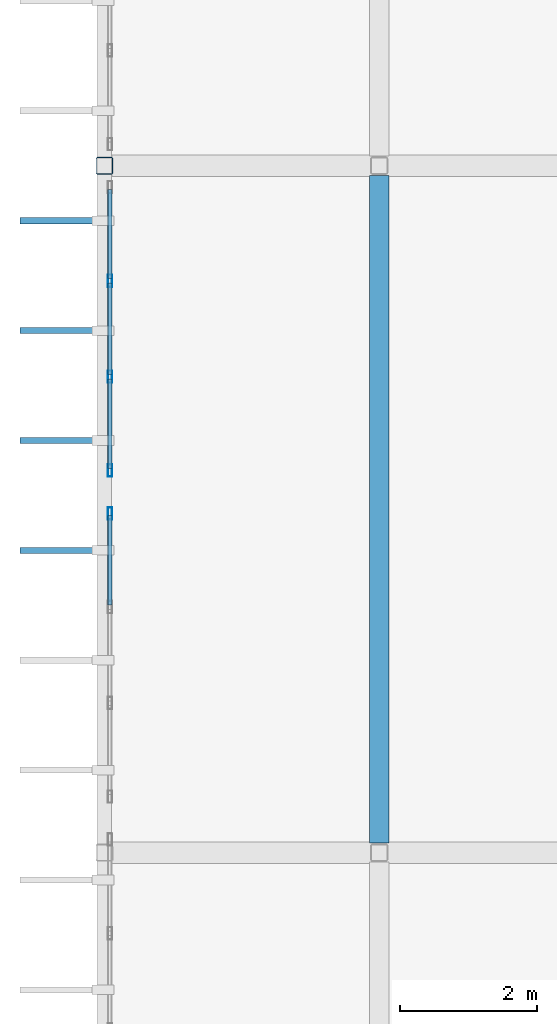
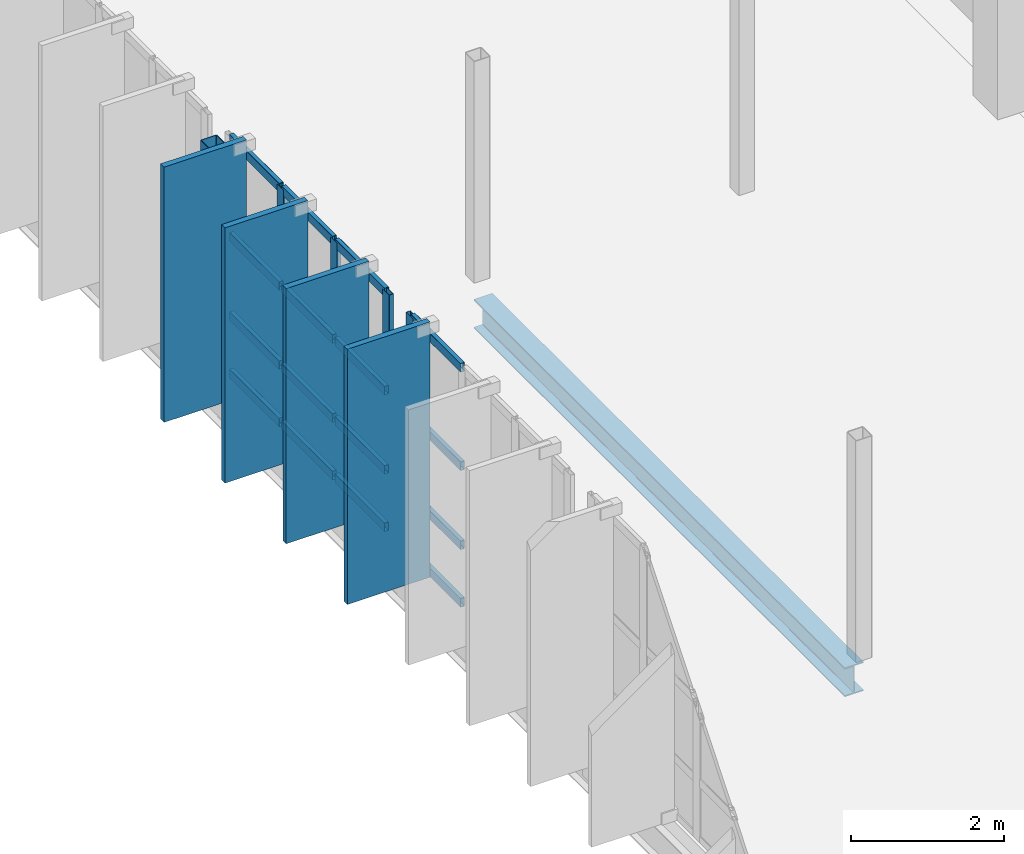
# One storey, part 23 of 80: 25 members, 1 beam, 2 elements without a shape of their own.
"""IFC4 building model written with IfcOpenShell, lengths in metres."""

from ifc_helpers import new_model, si_unit, direction, frame, origin, origin_2d, place, context, subcontext, project, spatial, rectangle, hollow_rectangle, i_section, extrude, material, material_profile, profile_set, type_object, element, aggregate, save


model = new_model("IFC4")

# Units and contexts
model_context = context("Model", 3, precision=1e-05, world=origin(), true_north=direction((0.0, 1.0)))
body_context = subcontext(model_context, "Body", "Model", "MODEL_VIEW")
ifc_project = project(units=[si_unit("LENGTHUNIT", "METRE"), si_unit("AREAUNIT", "SQUARE_METRE"), si_unit("VOLUMEUNIT", "CUBIC_METRE"), si_unit("PLANEANGLEUNIT", "RADIAN"), si_unit("MASSUNIT", "GRAM", prefix="KILO")], contexts=[model_context])

# Site, building, storey
site_placement = place(None, origin())
site = spatial("IfcSite", under=ifc_project, at=site_placement, CompositionType="ELEMENT")
building_placement = place(site_placement, origin())
building = spatial("IfcBuilding", under=site, at=building_placement, Name="Miravela Opera House", CompositionType="ELEMENT")
storey_placement = place(building_placement, frame((0.0, 0.0, 17.679931640625)))
storey = spatial("IfcBuildingStorey", under=building, at=storey_placement, Name="L04", CompositionType="ELEMENT", Elevation=17.679931640625)

# Curtain wall, member
ifc_material_1 = material(Name="Anodised architectural bronze aluminium 6063-T6", Category="aluminium")
curtain_wall_type = type_object("IfcCurtainWallType", Name="ARC-CW-02", PredefinedType="NOTDEFINED", material=ifc_material_1)
curtain_wall_1_placement = place(storey_placement, origin())
curtain_wall_1 = element("IfcCurtainWall", 1, at=curtain_wall_1_placement, inside=storey, type_object=curtain_wall_type, Name="Cantilever West Wrapper Glazing B3 CW-L04-029", PredefinedType="NOTDEFINED")
ifc_material_profile_1 = material_profile(ifc_material_1, hollow_rectangle(XDim=0.06494140625, YDim=0.179931640625, WallThickness=0.00390625, InnerFilletRadius=0.001953125, OuterFilletRadius=0.00390625, at=origin_2d()), Name="CWM-65X180")
ifc_profile_set_1 = profile_set([ifc_material_profile_1])
member_type_1 = type_object("IfcMemberType", Name="ARC-CWM-180", PredefinedType="MULLION", material=ifc_profile_set_1)
member_1_placement = place(storey_placement, frame((15.080078125, 50.9375, 0.0), z_axis=(0.0, 0.0, 1.0), x_axis=(-1.0, 0.0, 0.0)))
member_1 = element("IfcMember", 2, at=member_1_placement, type_object=member_type_1, Name="CW-02 mullion 4", PredefinedType="MULLION", context=body_context, shape_type="SweptSolid", body=[
    extrude(hollow_rectangle(XDim=0.06494140625, YDim=0.179931640625, WallThickness=0.00390625, InnerFilletRadius=0.001953125, OuterFilletRadius=0.00390625, at=origin_2d()), origin(), (0.0, 0.0, 1.0), 3.820068359375),
])

# Curtain wall, members
curtain_wall_2_placement = place(storey_placement, origin())
curtain_wall_2 = element("IfcCurtainWall", 3, at=curtain_wall_2_placement, inside=storey, type_object=curtain_wall_type, Name="Cantilever West Wrapper Glazing B4 CW-L04-030", PredefinedType="NOTDEFINED")
member_2_placement = place(storey_placement, frame((15.080078125, 51.5625, 0.0), z_axis=(0.0, 0.0, 1.0), x_axis=(-1.0, 0.0, 0.0)))
member_2 = element("IfcMember", 4, at=member_2_placement, type_object=member_type_1, Name="CW-02 mullion 1", PredefinedType="MULLION", context=body_context, shape_type="SweptSolid", body=[
    extrude(hollow_rectangle(XDim=0.06494140625, YDim=0.179931640625, WallThickness=0.00390625, InnerFilletRadius=0.001953125, OuterFilletRadius=0.00390625, at=origin_2d()), origin(), (0.0, 0.0, 1.0), 3.820068359375),
])
member_3_placement = place(storey_placement, frame((15.080078125, 52.9267578125, 0.0), z_axis=(0.0, 0.0, 1.0), x_axis=(-1.0, 0.0, 0.0)))
member_3 = element("IfcMember", 5, at=member_3_placement, type_object=member_type_1, Name="CW-02 mullion 2", PredefinedType="MULLION", context=body_context, shape_type="SweptSolid", body=[
    extrude(hollow_rectangle(XDim=0.06494140625, YDim=0.179931640625, WallThickness=0.00390625, InnerFilletRadius=0.001953125, OuterFilletRadius=0.00390625, at=origin_2d()), origin(), (0.0, 0.0, 1.0), 3.820068359375),
])
member_4_placement = place(storey_placement, frame((15.080078125, 54.3232421875, 0.0), z_axis=(0.0, 0.0, 1.0), x_axis=(-1.0, 0.0, 0.0)))
member_4 = element("IfcMember", 6, at=member_4_placement, type_object=member_type_1, Name="CW-02 mullion 3", PredefinedType="MULLION", context=body_context, shape_type="SweptSolid", body=[
    extrude(hollow_rectangle(XDim=0.06494140625, YDim=0.179931640625, WallThickness=0.00390625, InnerFilletRadius=0.001953125, OuterFilletRadius=0.00390625, at=origin_2d()), origin(), (0.0, 0.0, 1.0), 3.820068359375),
])

# Member
ifc_material_profile_2 = material_profile(ifc_material_1, hollow_rectangle(XDim=0.06494140625, YDim=0.139892578125, WallThickness=0.00390625, InnerFilletRadius=0.001953125, OuterFilletRadius=0.00390625, at=origin_2d()), Name="CWT-65X140")
ifc_profile_set_2 = profile_set([ifc_material_profile_2])
member_type_2 = type_object("IfcMemberType", Name="ARC-CWT-140", PredefinedType="USERDEFINED", material=ifc_profile_set_2)
member_5_placement = place(storey_placement, frame((15.080078125, 49.605712890625, 0.032470703125), z_axis=(0.0, 1.0, 0.0), x_axis=(-1.0, 0.0, 0.0)))
member_5 = element("IfcMember", 7, at=member_5_placement, type_object=member_type_2, Name="CW-02 transom 3.1", ObjectType="TRANSOM", PredefinedType="USERDEFINED", context=body_context, shape_type="SweptSolid", body=[
    extrude(hollow_rectangle(XDim=0.06494140625, YDim=0.139892578125, WallThickness=0.00390625, InnerFilletRadius=0.001953125, OuterFilletRadius=0.00390625, at=origin_2d()), origin(), (0.0, 0.0, 1.0), 1.29931640625),
])

member_6_placement = place(storey_placement, frame((15.080078125, 49.605712890625, 0.949951171875), z_axis=(0.0, 1.0, 0.0), x_axis=(-1.0, 0.0, 0.0)))
member_6 = element("IfcMember", 8, at=member_6_placement, type_object=member_type_2, Name="CW-02 transom 3.2", ObjectType="TRANSOM", PredefinedType="USERDEFINED", context=body_context, shape_type="SweptSolid", body=[
    extrude(hollow_rectangle(XDim=0.06494140625, YDim=0.139892578125, WallThickness=0.00390625, InnerFilletRadius=0.001953125, OuterFilletRadius=0.00390625, at=origin_2d()), origin(), (0.0, 0.0, 1.0), 1.29931640625),
])

member_7_placement = place(storey_placement, frame((15.080078125, 49.605712890625, 2.215576171875), z_axis=(0.0, 1.0, 0.0), x_axis=(-1.0, 0.0, 0.0)))
member_7 = element("IfcMember", 9, at=member_7_placement, type_object=member_type_2, Name="CW-02 transom 3.3", ObjectType="TRANSOM", PredefinedType="USERDEFINED", context=body_context, shape_type="SweptSolid", body=[
    extrude(hollow_rectangle(XDim=0.06494140625, YDim=0.139892578125, WallThickness=0.00390625, InnerFilletRadius=0.001953125, OuterFilletRadius=0.00390625, at=origin_2d()), origin(), (0.0, 0.0, 1.0), 1.29931640625),
])

member_8_placement = place(storey_placement, frame((15.080078125, 49.605712890625, 3.78759765625), z_axis=(0.0, 1.0, 0.0), x_axis=(-1.0, 0.0, 0.0)))
member_8 = element("IfcMember", 10, at=member_8_placement, type_object=member_type_2, Name="CW-02 transom 3.4", ObjectType="TRANSOM", PredefinedType="USERDEFINED", context=body_context, shape_type="SweptSolid", body=[
    extrude(hollow_rectangle(XDim=0.06494140625, YDim=0.139892578125, WallThickness=0.00390625, InnerFilletRadius=0.001953125, OuterFilletRadius=0.00390625, at=origin_2d()), origin(), (0.0, 0.0, 1.0), 1.29931640625),
])

aggregate(curtain_wall_1, [member_1, member_5, member_6, member_7, member_8])

member_9_placement = place(storey_placement, frame((15.080078125, 51.594970703125, 0.032470703125), z_axis=(0.0, 1.0, 0.0), x_axis=(-1.0, 0.0, 0.0)))
member_9 = element("IfcMember", 11, at=member_9_placement, type_object=member_type_2, Name="CW-02 transom 1.1", ObjectType="TRANSOM", PredefinedType="USERDEFINED", context=body_context, shape_type="SweptSolid", body=[
    extrude(hollow_rectangle(XDim=0.06494140625, YDim=0.139892578125, WallThickness=0.00390625, InnerFilletRadius=0.001953125, OuterFilletRadius=0.00390625, at=origin_2d()), origin(), (0.0, 0.0, 1.0), 1.29931640625),
])

member_10_placement = place(storey_placement, frame((15.080078125, 51.594970703125, 0.949951171875), z_axis=(0.0, 1.0, 0.0), x_axis=(-1.0, 0.0, 0.0)))
member_10 = element("IfcMember", 12, at=member_10_placement, type_object=member_type_2, Name="CW-02 transom 1.2", ObjectType="TRANSOM", PredefinedType="USERDEFINED", context=body_context, shape_type="SweptSolid", body=[
    extrude(hollow_rectangle(XDim=0.06494140625, YDim=0.139892578125, WallThickness=0.00390625, InnerFilletRadius=0.001953125, OuterFilletRadius=0.00390625, at=origin_2d()), origin(), (0.0, 0.0, 1.0), 1.29931640625),
])

member_11_placement = place(storey_placement, frame((15.080078125, 51.594970703125, 2.215576171875), z_axis=(0.0, 1.0, 0.0), x_axis=(-1.0, 0.0, 0.0)))
member_11 = element("IfcMember", 13, at=member_11_placement, type_object=member_type_2, Name="CW-02 transom 1.3", ObjectType="TRANSOM", PredefinedType="USERDEFINED", context=body_context, shape_type="SweptSolid", body=[
    extrude(hollow_rectangle(XDim=0.06494140625, YDim=0.139892578125, WallThickness=0.00390625, InnerFilletRadius=0.001953125, OuterFilletRadius=0.00390625, at=origin_2d()), origin(), (0.0, 0.0, 1.0), 1.29931640625),
])

member_12_placement = place(storey_placement, frame((15.080078125, 51.594970703125, 3.78759765625), z_axis=(0.0, 1.0, 0.0), x_axis=(-1.0, 0.0, 0.0)))
member_12 = element("IfcMember", 14, at=member_12_placement, type_object=member_type_2, Name="CW-02 transom 1.4", ObjectType="TRANSOM", PredefinedType="USERDEFINED", context=body_context, shape_type="SweptSolid", body=[
    extrude(hollow_rectangle(XDim=0.06494140625, YDim=0.139892578125, WallThickness=0.00390625, InnerFilletRadius=0.001953125, OuterFilletRadius=0.00390625, at=origin_2d()), origin(), (0.0, 0.0, 1.0), 1.29931640625),
])

member_13_placement = place(storey_placement, frame((15.080078125, 52.959228515625, 0.032470703125), z_axis=(0.0, 1.0, 0.0), x_axis=(-1.0, 0.0, 0.0)))
member_13 = element("IfcMember", 15, at=member_13_placement, type_object=member_type_2, Name="CW-02 transom 2.1", ObjectType="TRANSOM", PredefinedType="USERDEFINED", context=body_context, shape_type="SweptSolid", body=[
    extrude(hollow_rectangle(XDim=0.06494140625, YDim=0.139892578125, WallThickness=0.00390625, InnerFilletRadius=0.001953125, OuterFilletRadius=0.00390625, at=origin_2d()), origin(), (0.0, 0.0, 1.0), 1.33154296875),
])

member_14_placement = place(storey_placement, frame((15.080078125, 52.959228515625, 0.949951171875), z_axis=(0.0, 1.0, 0.0), x_axis=(-1.0, 0.0, 0.0)))
member_14 = element("IfcMember", 16, at=member_14_placement, type_object=member_type_2, Name="CW-02 transom 2.2", ObjectType="TRANSOM", PredefinedType="USERDEFINED", context=body_context, shape_type="SweptSolid", body=[
    extrude(hollow_rectangle(XDim=0.06494140625, YDim=0.139892578125, WallThickness=0.00390625, InnerFilletRadius=0.001953125, OuterFilletRadius=0.00390625, at=origin_2d()), origin(), (0.0, 0.0, 1.0), 1.33154296875),
])

member_15_placement = place(storey_placement, frame((15.080078125, 52.959228515625, 2.215576171875), z_axis=(0.0, 1.0, 0.0), x_axis=(-1.0, 0.0, 0.0)))
member_15 = element("IfcMember", 17, at=member_15_placement, type_object=member_type_2, Name="CW-02 transom 2.3", ObjectType="TRANSOM", PredefinedType="USERDEFINED", context=body_context, shape_type="SweptSolid", body=[
    extrude(hollow_rectangle(XDim=0.06494140625, YDim=0.139892578125, WallThickness=0.00390625, InnerFilletRadius=0.001953125, OuterFilletRadius=0.00390625, at=origin_2d()), origin(), (0.0, 0.0, 1.0), 1.33154296875),
])

member_16_placement = place(storey_placement, frame((15.080078125, 52.959228515625, 3.78759765625), z_axis=(0.0, 1.0, 0.0), x_axis=(-1.0, 0.0, 0.0)))
member_16 = element("IfcMember", 18, at=member_16_placement, type_object=member_type_2, Name="CW-02 transom 2.4", ObjectType="TRANSOM", PredefinedType="USERDEFINED", context=body_context, shape_type="SweptSolid", body=[
    extrude(hollow_rectangle(XDim=0.06494140625, YDim=0.139892578125, WallThickness=0.00390625, InnerFilletRadius=0.001953125, OuterFilletRadius=0.00390625, at=origin_2d()), origin(), (0.0, 0.0, 1.0), 1.33154296875),
])

member_17_placement = place(storey_placement, frame((15.080078125, 54.355712890625, 0.032470703125), z_axis=(0.0, 1.0, 0.0), x_axis=(-1.0, 0.0, 0.0)))
member_17 = element("IfcMember", 19, at=member_17_placement, type_object=member_type_2, Name="CW-02 transom 3.1", ObjectType="TRANSOM", PredefinedType="USERDEFINED", context=body_context, shape_type="SweptSolid", body=[
    extrude(hollow_rectangle(XDim=0.06494140625, YDim=0.139892578125, WallThickness=0.00390625, InnerFilletRadius=0.001953125, OuterFilletRadius=0.00390625, at=origin_2d()), origin(), (0.0, 0.0, 1.0), 1.29931640625),
])

member_18_placement = place(storey_placement, frame((15.080078125, 54.355712890625, 0.949951171875), z_axis=(0.0, 1.0, 0.0), x_axis=(-1.0, 0.0, 0.0)))
member_18 = element("IfcMember", 20, at=member_18_placement, type_object=member_type_2, Name="CW-02 transom 3.2", ObjectType="TRANSOM", PredefinedType="USERDEFINED", context=body_context, shape_type="SweptSolid", body=[
    extrude(hollow_rectangle(XDim=0.06494140625, YDim=0.139892578125, WallThickness=0.00390625, InnerFilletRadius=0.001953125, OuterFilletRadius=0.00390625, at=origin_2d()), origin(), (0.0, 0.0, 1.0), 1.29931640625),
])

member_19_placement = place(storey_placement, frame((15.080078125, 54.355712890625, 2.215576171875), z_axis=(0.0, 1.0, 0.0), x_axis=(-1.0, 0.0, 0.0)))
member_19 = element("IfcMember", 21, at=member_19_placement, type_object=member_type_2, Name="CW-02 transom 3.3", ObjectType="TRANSOM", PredefinedType="USERDEFINED", context=body_context, shape_type="SweptSolid", body=[
    extrude(hollow_rectangle(XDim=0.06494140625, YDim=0.139892578125, WallThickness=0.00390625, InnerFilletRadius=0.001953125, OuterFilletRadius=0.00390625, at=origin_2d()), origin(), (0.0, 0.0, 1.0), 1.29931640625),
])

member_20_placement = place(storey_placement, frame((15.080078125, 54.355712890625, 3.78759765625), z_axis=(0.0, 1.0, 0.0), x_axis=(-1.0, 0.0, 0.0)))
member_20 = element("IfcMember", 22, at=member_20_placement, type_object=member_type_2, Name="CW-02 transom 3.4", ObjectType="TRANSOM", PredefinedType="USERDEFINED", context=body_context, shape_type="SweptSolid", body=[
    extrude(hollow_rectangle(XDim=0.06494140625, YDim=0.139892578125, WallThickness=0.00390625, InnerFilletRadius=0.001953125, OuterFilletRadius=0.00390625, at=origin_2d()), origin(), (0.0, 0.0, 1.0), 1.29931640625),
])

aggregate(curtain_wall_2, [member_2, member_3, member_4, member_9, member_10, member_11, member_12, member_13, member_14, member_15, member_16, member_17, member_18, member_19, member_20])

# Members
ifc_material_profile_3 = material_profile(ifc_material_1, rectangle(XDim=0.090087890625, YDim=1.25, at=origin_2d()), Name="FIN-1250X90")
ifc_profile_set_3 = profile_set([ifc_material_profile_3])
member_type_3 = type_object("IfcMemberType", Name="ARC-FIN-1250", PredefinedType="USERDEFINED", material=ifc_profile_set_3)
for number, where, z_axis, x_axis, name in (
    (23, (14.39501953125, 50.39990234375, 0.0), (0.0, 0.0, 1.0), (0.0, 1.0, 0.0), "Auditorium Wrapper Bronze Solar Fin FIN-L04-WEST-0081"),
    (24, (14.39501953125, 52.0, 0.0), (0.0, 0.0, 1.0), (0.0, 1.0, 0.0), "Auditorium Wrapper Bronze Solar Fin FIN-L04-WEST-0082"),
    (25, (14.39501953125, 53.60009765625, 0.0), (0.0, 0.0, 1.0), (0.0, 1.0, 0.0), "Auditorium Wrapper Bronze Solar Fin FIN-L04-WEST-0083"),
    (26, (14.39501953125, 55.199951171875, 0.0), (0.0, 0.0, 1.0), (0.0, 1.0, 0.0), "Auditorium Wrapper Bronze Solar Fin FIN-L04-WEST-0084"),
):
    element("IfcMember", number, at=place(storey_placement, frame(where, z_axis=z_axis, x_axis=x_axis)), inside=storey, type_object=member_type_3, Name=name, ObjectType="FIN", PredefinedType="USERDEFINED", context=body_context, shape_type="SweptSolid", body=[
        extrude(rectangle(XDim=0.090087890625, YDim=1.25, at=origin_2d()), origin(), (0.0, 0.0, 1.0), 4.080078125),
    ])

# Beam
ifc_material_2 = material(Name="Structural steel ASTM A992 Gr. 50", Category="steel")
ifc_material_profile_4 = material_profile(ifc_material_2, i_section(OverallWidth=0.280029296875, OverallDepth=0.462890625, WebThickness=0.0107421875, FlangeThickness=0.017333984375, FilletRadius=0.014892578125, at=origin_2d()), Name="W460X113")
ifc_profile_set_4 = profile_set([ifc_material_profile_4])
beam_type = type_object("IfcBeamType", Name="STR-BM-W460X113", PredefinedType="BEAM", material=ifc_profile_set_4)
beam_placement = place(storey_placement, frame((19.0, 46.14111328125, -0.471435546875), z_axis=(0.0, 1.0, 0.0), x_axis=(-1.0, 0.0, 0.0)))
element("IfcBeam", 27, at=beam_placement, inside=storey, type_object=beam_type, Name="Cantilever Overhang Beam L04 X=19", PredefinedType="BEAM", context=body_context, shape_type="SweptSolid", body=[
    extrude(i_section(OverallWidth=0.280029296875, OverallDepth=0.462890625, WebThickness=0.0107421875, FlangeThickness=0.017333984375, FilletRadius=0.014892578125, at=origin_2d()), origin(), (0.0, 0.0, 1.0), 9.7177734375),
])

# Member
ifc_material_3 = material(Name="Hollow structural steel ASTM A500 Gr. C", Category="steel")
ifc_material_profile_5 = material_profile(ifc_material_3, hollow_rectangle(XDim=0.25, YDim=0.25, WallThickness=0.011962890625, InnerFilletRadius=0.011962890625, OuterFilletRadius=0.02392578125, at=origin_2d()), Name="HSS250X250X12")
ifc_profile_set_5 = profile_set([ifc_material_profile_5])
member_type_4 = type_object("IfcMemberType", Name="STR-MEM-CANT-POST2", PredefinedType="POST", material=ifc_profile_set_5)
member_21_placement = place(storey_placement, frame((15.0, 56.0, -0.5400390625), z_axis=(0.0, 0.0, 1.0), x_axis=(1.0, 0.0, 0.0)))
element("IfcMember", 28, at=member_21_placement, inside=storey, type_object=member_type_4, Name="Upper Wrapper Truss Post L04 X=15.0", PredefinedType="POST", context=body_context, shape_type="SweptSolid", body=[
    extrude(hollow_rectangle(XDim=0.25, YDim=0.25, WallThickness=0.011962890625, InnerFilletRadius=0.011962890625, OuterFilletRadius=0.02392578125, at=origin_2d()), origin(), (0.0, 0.0, 1.0), 4.080078125),
])

save(model, "model.ifc")
